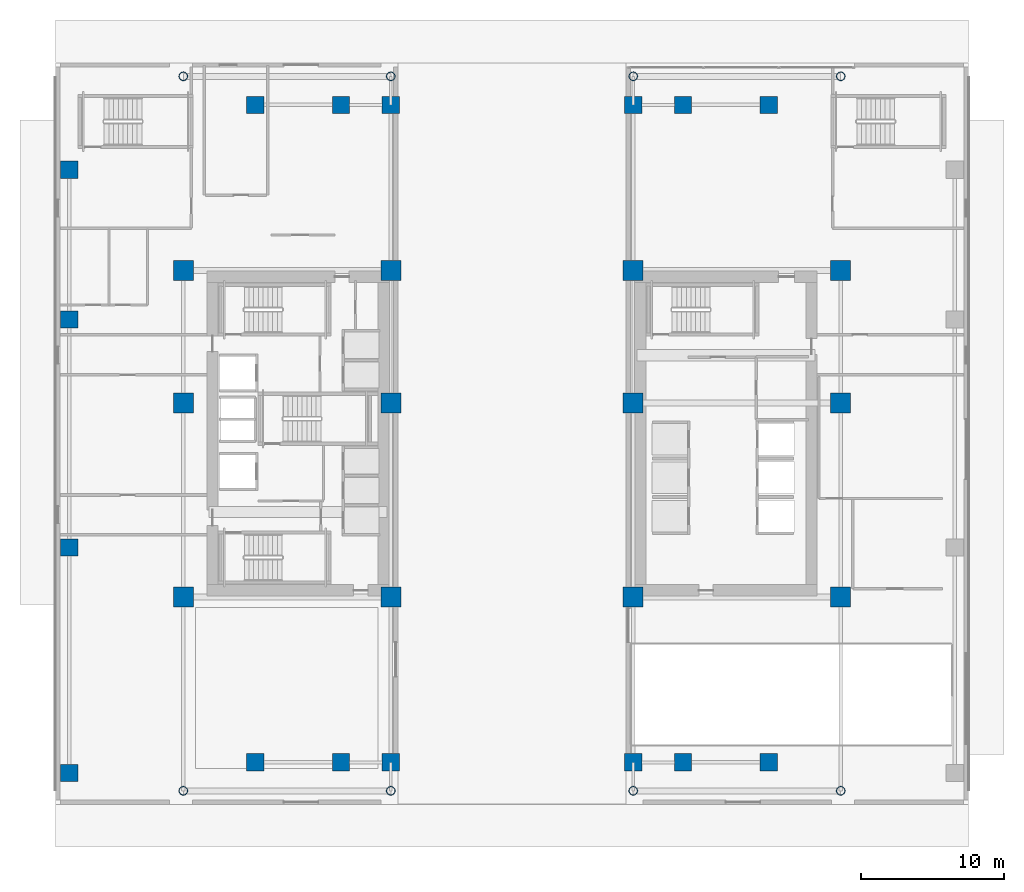
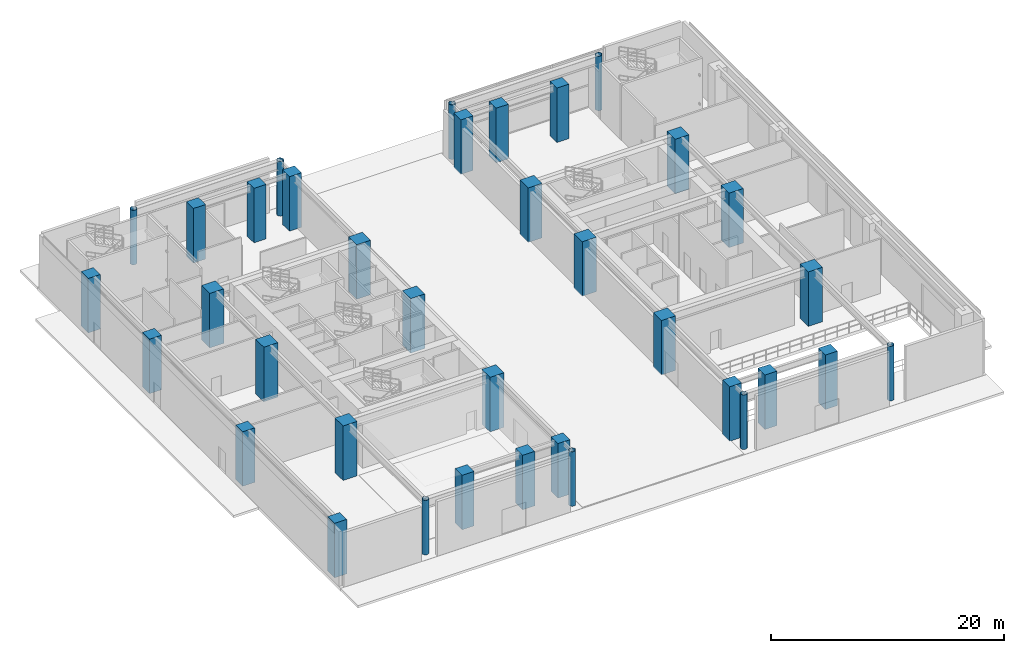
# One storey, part 1 of 17: 36 columns.
"""IFC4 building model written with IfcOpenShell, lengths in metres."""

from ifc_helpers import new_model, si_unit, direction, frame, origin, origin_2d, place, context, subcontext, project, spatial, rectangle, hollow_circle, extrude, source, transform, mapped, material, material_profile, profile_set, type_object, element, save


model = new_model("IFC4")

# Units and contexts
model_context = context("Model", 3, precision=1e-05, world=origin(), true_north=direction((0.0, 1.0)))
body_context = subcontext(model_context, "Body", "Model", "MODEL_VIEW")
ifc_project = project(units=[si_unit("LENGTHUNIT", "METRE"), si_unit("AREAUNIT", "SQUARE_METRE"), si_unit("VOLUMEUNIT", "CUBIC_METRE"), si_unit("PLANEANGLEUNIT", "RADIAN"), si_unit("MASSUNIT", "GRAM", prefix="KILO")], contexts=[model_context])

# Site, building, storey
site_placement = place(None, origin())
site = spatial("IfcSite", under=ifc_project, at=site_placement, CompositionType="ELEMENT")
building_placement = place(site_placement, origin())
building = spatial("IfcBuilding", under=site, at=building_placement, Name="Ocotamira Hotel", CompositionType="ELEMENT")
storey_placement = place(building_placement, origin())
storey = spatial("IfcBuildingStorey", under=building, at=storey_placement, Name="L01", CompositionType="ELEMENT", Elevation=0.0)

# Columns
ifc_material_1 = material(Name="Concrete C60/75", Category="concrete")
ifc_material_profile_1 = material_profile(ifc_material_1, rectangle(XDim=1.199951171875, YDim=1.199951171875, at=origin_2d()), Name="RC1200X1200")
ifc_profile_set_1 = profile_set([ifc_material_profile_1], Name="Concrete C60/75")
column_type_1 = type_object("IfcColumnType", Name="COL-RC1200", PredefinedType="COLUMN", material=ifc_profile_set_1)
shared_shape_1 = source(origin(), body_context, "Body", "SweptSolid", [
    extrude(rectangle(XDim=1.199951171875, YDim=1.199951171875, at=origin_2d()), origin(), (0.0, 0.0, 1.0), 5.7099609375),
])
for number, where, z_axis, x_axis, name in (
    (1, (0.949951171875, 2.199951171875, 0.0), (0.0, 0.0, 1.0), (1.0, 0.0, 0.0), "L01 Column PW1"),
    (2, (0.949951171875, 18.0, 0.0), (0.0, 0.0, 1.0), (1.0, 0.0, 0.0), "L01 Column PW2"),
    (3, (0.949951171875, 34.0, 0.0), (0.0, 0.0, 1.0), (1.0, 0.0, 0.0), "L01 Column PW3"),
    (4, (0.949951171875, 44.5, 0.0), (0.0, 0.0, 1.0), (1.0, 0.0, 0.0), "L01 Column PW4"),
    (5, (14.0, 2.949951171875, 0.0), (0.0, 0.0, 1.0), (1.0, 0.0, 0.0), "L01 Column NSP1_14"),
    (6, (20.0, 2.949951171875, 0.0), (0.0, 0.0, 1.0), (1.0, 0.0, 0.0), "L01 Column NSP1_20"),
    (7, (23.5, 2.949951171875, 0.0), (0.0, 0.0, 1.0), (1.0, 0.0, 0.0), "L01 Column NSP1_23"),
    (8, (40.5, 2.949951171875, 0.0), (0.0, 0.0, 1.0), (1.0, 0.0, 0.0), "L01 Column NSP1_40"),
    (9, (44.0, 2.949951171875, 0.0), (0.0, 0.0, 1.0), (1.0, 0.0, 0.0), "L01 Column NSP1_44"),
    (10, (50.0, 2.949951171875, 0.0), (0.0, 0.0, 1.0), (1.0, 0.0, 0.0), "L01 Column NSP1_50"),
    (11, (14.0, 49.050048828125, 0.0), (0.0, 0.0, 1.0), (1.0, 0.0, 0.0), "L01 Column NSP2_14"),
    (12, (20.0, 49.050048828125, 0.0), (0.0, 0.0, 1.0), (1.0, 0.0, 0.0), "L01 Column NSP2_20"),
    (13, (23.5, 49.050048828125, 0.0), (0.0, 0.0, 1.0), (1.0, 0.0, 0.0), "L01 Column NSP2_23"),
    (14, (40.5, 49.050048828125, 0.0), (0.0, 0.0, 1.0), (1.0, 0.0, 0.0), "L01 Column NSP2_40"),
    (15, (44.0, 49.050048828125, 0.0), (0.0, 0.0, 1.0), (1.0, 0.0, 0.0), "L01 Column NSP2_44"),
    (16, (50.0, 49.050048828125, 0.0), (0.0, 0.0, 1.0), (1.0, 0.0, 0.0), "L01 Column NSP2_50"),
):
    element("IfcColumn", number, at=place(storey_placement, frame(where, z_axis=z_axis, x_axis=x_axis)), inside=storey, type_object=column_type_1, Name=name, PredefinedType="COLUMN", context=body_context, shape_type="MappedRepresentation", body=[
        mapped(shared_shape_1, transform((0.0, 0.0, 0.0), scale=1.0)),
    ])
ifc_material_2 = material(Name="Steel ASTM A501 Grade B", Category="steel")
ifc_material_profile_2 = material_profile(ifc_material_2, hollow_circle(Radius=0.304931640625, WallThickness=0.02490234375, at=origin_2d()), Name="CHS610X25")
ifc_profile_set_2 = profile_set([ifc_material_profile_2], Name="Steel ASTM A501 Grade B")
column_type_2 = type_object("IfcColumnType", Name="COL-CHS610", PredefinedType="COLUMN", material=ifc_profile_set_2)
shared_shape_2 = source(origin(), body_context, "Body", "SweptSolid", [
    extrude(hollow_circle(Radius=0.304931640625, WallThickness=0.02490234375, at=origin_2d()), origin(), (0.0, 0.0, 1.0), 5.7099609375),
])
for number, where, z_axis, x_axis, name in (
    (17, (8.949951171875, 0.949951171875, 0.0), (0.0, 0.0, 1.0), (1.0, 0.0, 0.0), "L01 Column PS1_1"),
    (18, (23.5, 0.949951171875, 0.0), (0.0, 0.0, 1.0), (1.0, 0.0, 0.0), "L01 Column PS1_2"),
    (19, (40.5, 0.949951171875, 0.0), (0.0, 0.0, 1.0), (1.0, 0.0, 0.0), "L01 Column PS1_3"),
    (20, (55.050048828125, 0.949951171875, 0.0), (0.0, 0.0, 1.0), (1.0, 0.0, 0.0), "L01 Column PS1_4"),
    (21, (8.949951171875, 51.050048828125, 0.0), (0.0, 0.0, 1.0), (1.0, 0.0, 0.0), "L01 Column PS2_1"),
    (22, (23.5, 51.050048828125, 0.0), (0.0, 0.0, 1.0), (1.0, 0.0, 0.0), "L01 Column PS2_2"),
    (23, (40.5, 51.050048828125, 0.0), (0.0, 0.0, 1.0), (1.0, 0.0, 0.0), "L01 Column PS2_3"),
    (24, (55.050048828125, 51.050048828125, 0.0), (0.0, 0.0, 1.0), (1.0, 0.0, 0.0), "L01 Column PS2_4"),
):
    element("IfcColumn", number, at=place(storey_placement, frame(where, z_axis=z_axis, x_axis=x_axis)), inside=storey, type_object=column_type_2, Name=name, PredefinedType="COLUMN", context=body_context, shape_type="MappedRepresentation", body=[
        mapped(shared_shape_2, transform((0.0, 0.0, 0.0), scale=1.0)),
    ])
ifc_material_profile_3 = material_profile(ifc_material_1, rectangle(XDim=1.39990234375, YDim=1.39990234375, at=origin_2d()), Name="RC1400X1400")
ifc_profile_set_3 = profile_set([ifc_material_profile_3], Name="Concrete C60/75")
column_type_3 = type_object("IfcColumnType", Name="COL-RC1400", PredefinedType="COLUMN", material=ifc_profile_set_3)
shared_shape_3 = source(origin(), body_context, "Body", "SweptSolid", [
    extrude(rectangle(XDim=1.39990234375, YDim=1.39990234375, at=origin_2d()), origin(), (0.0, 0.0, 1.0), 5.7099609375),
])
for number, where, z_axis, x_axis, name in (
    (25, (8.949951171875, 14.550048828125, 0.0), (0.0, 0.0, 1.0), (1.0, 0.0, 0.0), "L01 Column TW8_14"),
    (26, (23.5, 14.550048828125, 0.0), (0.0, 0.0, 1.0), (1.0, 0.0, 0.0), "L01 Column TW23_14"),
    (27, (40.5, 14.550048828125, 0.0), (0.0, 0.0, 1.0), (1.0, 0.0, 0.0), "L01 Column TE40_14"),
    (28, (55.050048828125, 14.550048828125, 0.0), (0.0, 0.0, 1.0), (1.0, 0.0, 0.0), "L01 Column TE55_14"),
    (29, (8.949951171875, 28.14990234375, 0.0), (0.0, 0.0, 1.0), (1.0, 0.0, 0.0), "L01 Column TW8_28"),
    (30, (23.5, 28.14990234375, 0.0), (0.0, 0.0, 1.0), (1.0, 0.0, 0.0), "L01 Column TW23_28"),
    (31, (40.5, 28.14990234375, 0.0), (0.0, 0.0, 1.0), (1.0, 0.0, 0.0), "L01 Column TE40_28"),
    (32, (55.050048828125, 28.14990234375, 0.0), (0.0, 0.0, 1.0), (1.0, 0.0, 0.0), "L01 Column TE55_28"),
    (33, (8.949951171875, 37.449951171875, 0.0), (0.0, 0.0, 1.0), (1.0, 0.0, 0.0), "L01 Column TW8_37"),
    (34, (23.5, 37.449951171875, 0.0), (0.0, 0.0, 1.0), (1.0, 0.0, 0.0), "L01 Column TW23_37"),
    (35, (40.5, 37.449951171875, 0.0), (0.0, 0.0, 1.0), (1.0, 0.0, 0.0), "L01 Column TE40_37"),
    (36, (55.050048828125, 37.449951171875, 0.0), (0.0, 0.0, 1.0), (1.0, 0.0, 0.0), "L01 Column TE55_37"),
):
    element("IfcColumn", number, at=place(storey_placement, frame(where, z_axis=z_axis, x_axis=x_axis)), inside=storey, type_object=column_type_3, Name=name, PredefinedType="COLUMN", context=body_context, shape_type="MappedRepresentation", body=[
        mapped(shared_shape_3, transform((0.0, 0.0, 0.0), scale=1.0)),
    ])

save(model, "model.ifc")
